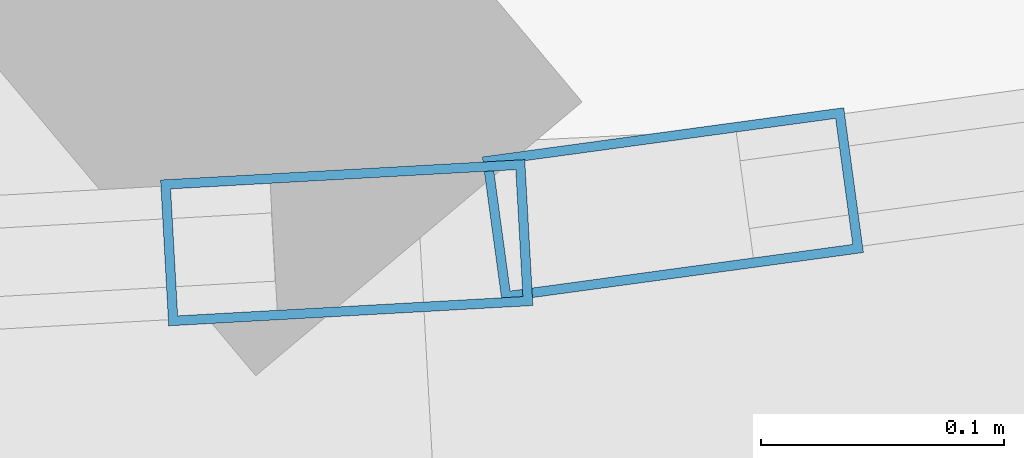
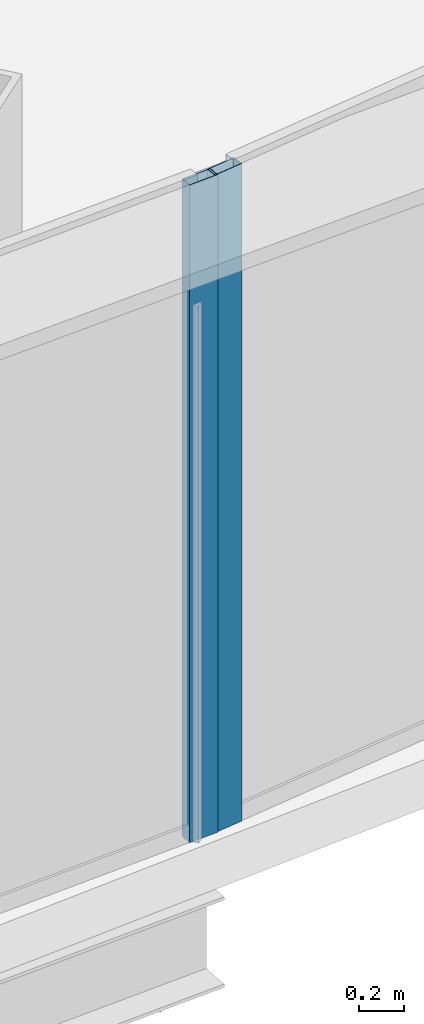
# One storey, part 14 of 36: 2 members, 2 elements without a shape of their own.
"""IFC4 building model written with IfcOpenShell, lengths in metres."""

from ifc_helpers import new_model, si_unit, direction, frame, origin, origin_2d, place, context, subcontext, project, spatial, hollow_rectangle, extrude, source, transform, mapped, material, layer, layer_set, material_profile, profile_set, type_object, element, aggregate, save


model = new_model("IFC4")

# Units and contexts
model_context = context("Model", 3, precision=1e-05, world=origin(), true_north=direction((0.0, 1.0)))
body_context = subcontext(model_context, "Body", "Model", "MODEL_VIEW")
ifc_project = project(units=[si_unit("LENGTHUNIT", "METRE"), si_unit("AREAUNIT", "SQUARE_METRE"), si_unit("VOLUMEUNIT", "CUBIC_METRE"), si_unit("PLANEANGLEUNIT", "RADIAN"), si_unit("MASSUNIT", "GRAM", prefix="KILO"), si_unit("THERMODYNAMICTEMPERATUREUNIT", "KELVIN"), si_unit("POWERUNIT", "WATT")], contexts=[model_context])

# Site, building, storey
site_placement = place(None, origin())
site = spatial("IfcSite", under=ifc_project, at=site_placement, CompositionType="ELEMENT")
building_placement = place(site_placement, origin())
building = spatial("IfcBuilding", under=site, at=building_placement, Name="Yunzhuo Pagoda Commons", CompositionType="ELEMENT")
storey_placement = place(building_placement, frame((0.0, 0.0, 211.360107421875)))
storey = spatial("IfcBuildingStorey", under=building, at=storey_placement, Name="L53", CompositionType="ELEMENT", Elevation=211.360107421875)

# Curtain wall, member
ifc_material = material(Name="Anodized aluminium 6063-T6", Category="aluminium")
ifc_layer = layer(ifc_material, 0.14990234375)
ifc_layer_set = layer_set([ifc_layer], Name="Anodized aluminium 6063-T6")
curtain_wall_type = type_object("IfcCurtainWallType", Name="CW-MID Mid-Zone Ribbon Curtain Wall", PredefinedType="NOTDEFINED", material=ifc_layer_set)
curtain_wall_1_placement = place(storey_placement, origin())
curtain_wall_1 = element("IfcCurtainWall", 1, at=curtain_wall_1_placement, inside=storey, type_object=curtain_wall_type, Name="L53 curtain wall CW-L53-F1B4", PredefinedType="NOTDEFINED")
ifc_material_profile = material_profile(ifc_material, hollow_rectangle(XDim=0.06005859375, YDim=0.14990234375, WallThickness=0.00390625, at=origin_2d()), Name="Anodized aluminium 6063-T6")
ifc_profile_set = profile_set([ifc_material_profile], Name="Anodized aluminium 6063-T6")
member_type = type_object("IfcMemberType", Name="CW-MID-M Mullion RHS 150x60x4", PredefinedType="MULLION", material=ifc_profile_set)
shared_shape = source(origin(), body_context, "Body", "SweptSolid", [
    extrude(hollow_rectangle(XDim=0.06005859375, YDim=0.14990234375, WallThickness=0.00390625, at=origin_2d()), origin(), (0.0, 0.0, 1.0), 3.539794921875),
])
member_1_placement = place(storey_placement, frame((63.379150390625, 15.334716796875, 0.0), z_axis=(0.0, 0.0, 1.0), x_axis=(-0.055641789149, 0.998450795633, 0.0)))
member_1 = element("IfcMember", 2, at=member_1_placement, type_object=member_type, Name="CW mullion 2", PredefinedType="MULLION", context=body_context, shape_type="MappedRepresentation", body=[
    mapped(shared_shape, transform((0.0, 0.0, 0.0), scale=1.0)),
])
aggregate(curtain_wall_1, [member_1])

curtain_wall_2_placement = place(storey_placement, origin())
curtain_wall_2 = element("IfcCurtainWall", 3, at=curtain_wall_2_placement, inside=storey, type_object=curtain_wall_type, Name="L53 curtain wall CW-L53-F1B5", PredefinedType="NOTDEFINED")
member_2_placement = place(storey_placement, frame((63.51318359375, 15.350341796875, 0.0), z_axis=(0.0, 0.0, 1.0), x_axis=(-0.134839446061, 0.990867460252, 0.0)))
member_2 = element("IfcMember", 4, at=member_2_placement, type_object=member_type, Name="CW mullion 1", PredefinedType="MULLION", context=body_context, shape_type="MappedRepresentation", body=[
    mapped(shared_shape, transform((0.0, 0.0, 0.0), scale=1.0)),
])
aggregate(curtain_wall_2, [member_2])

save(model, "model.ifc")
